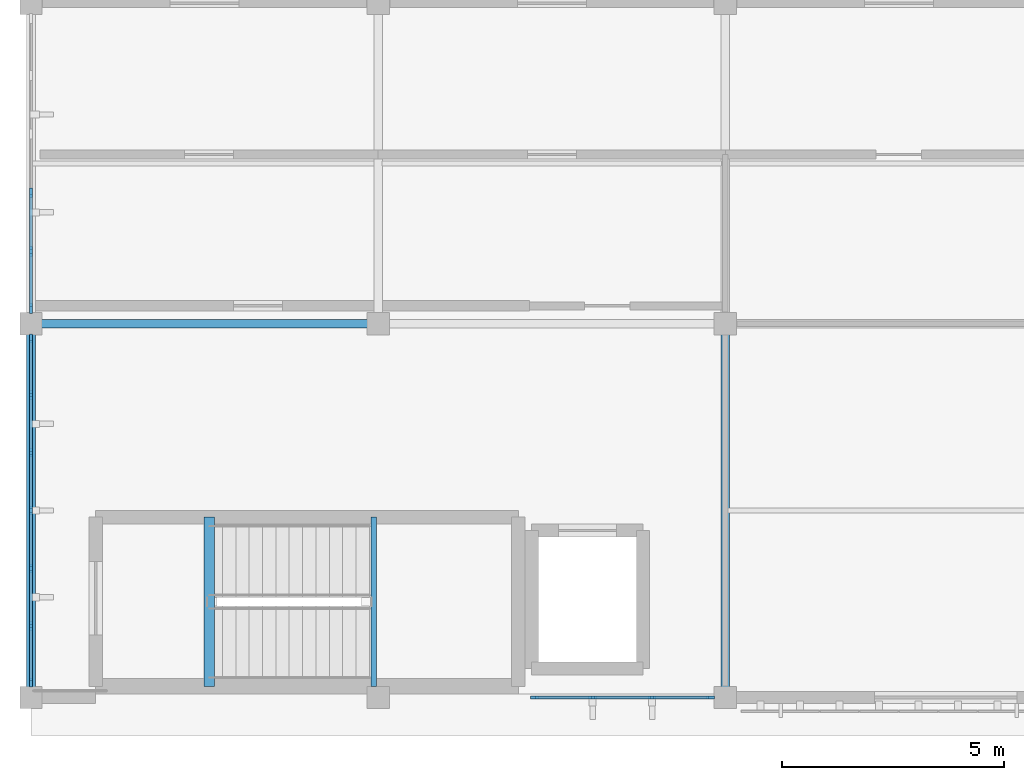
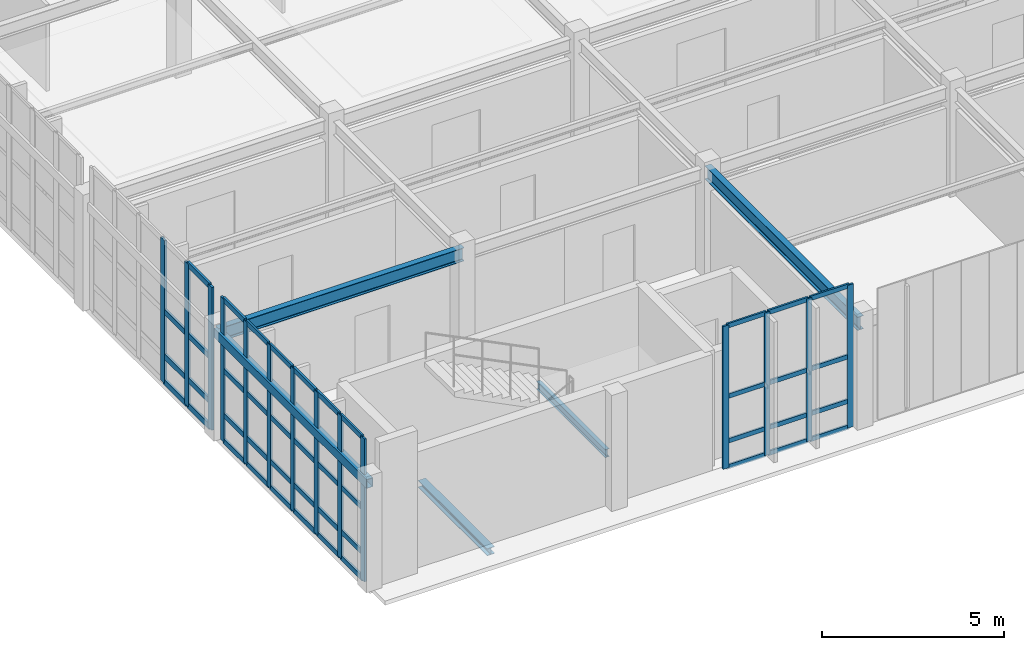
# One storey, part 1 of 20: 57 members, 5 beams, 3 elements without a shape of their own.
"""IFC4 building model written with IfcOpenShell, lengths in metres."""

from ifc_helpers import new_model, si_unit, direction, frame, origin, origin_2d, place, context, subcontext, project, spatial, rectangle, hollow_rectangle, i_section, extrude, material, material_profile, profile_set, type_object, element, aggregate, save


model = new_model("IFC4")

# Units and contexts
model_context = context("Model", 3, precision=1e-05, world=origin(), true_north=direction((0.0, 1.0)))
body_context = subcontext(model_context, "Body", "Model", "MODEL_VIEW")
ifc_project = project(units=[si_unit("LENGTHUNIT", "METRE"), si_unit("AREAUNIT", "SQUARE_METRE"), si_unit("VOLUMEUNIT", "CUBIC_METRE"), si_unit("PLANEANGLEUNIT", "RADIAN"), si_unit("MASSUNIT", "GRAM", prefix="KILO")], contexts=[model_context])

# Site, building, storey
site_placement = place(None, origin())
site = spatial("IfcSite", under=ifc_project, at=site_placement, CompositionType="ELEMENT")
building_placement = place(site_placement, origin())
building = spatial("IfcBuilding", under=site, at=building_placement, Name="Tizgana Railside Sports Hall", CompositionType="ELEMENT")
storey_placement = place(building_placement, frame((0.0, 0.0, 19.800048828125)))
storey = spatial("IfcBuildingStorey", under=building, at=storey_placement, Name="L04", CompositionType="ELEMENT", Elevation=19.800048828125)

# Curtain wall, members
ifc_material_1 = material(Name="Anodised aluminium and glass", Category="aluminium")
curtain_wall_type_1 = type_object("IfcCurtainWallType", Name="Unitised Curtain Wall WestHall 1560", PredefinedType="NOTDEFINED", material=ifc_material_1)
curtain_wall_1_placement = place(storey_placement, origin())
curtain_wall_1 = element("IfcCurtainWall", 1, at=curtain_wall_1_placement, inside=storey, type_object=curtain_wall_type_1, Name="L04 Curtain Wall CW-0134", PredefinedType="NOTDEFINED")
ifc_material_2 = material(Name="Anodised aluminium", Category="aluminium")
ifc_material_profile_1 = material_profile(ifc_material_2, rectangle(XDim=0.06005859375, YDim=0.179931640625, at=origin_2d()), Name="Mullion 60x180")
ifc_profile_set_1 = profile_set([ifc_material_profile_1], Name="Anodised aluminium")
member_type_1 = type_object("IfcMemberType", Name="Mullion 60x180", PredefinedType="MULLION", material=ifc_profile_set_1)
member_1_placement = place(storey_placement, frame((23.06494140625, 0.0, 0.0), z_axis=(0.0, 0.0, 1.0), x_axis=(0.0, -1.0, 0.0)))
member_1 = element("IfcMember", 2, at=member_1_placement, type_object=member_type_1, Name="CW-07 mullion 1", PredefinedType="MULLION", context=body_context, shape_type="SweptSolid", body=[
    extrude(rectangle(XDim=0.06005859375, YDim=0.179931640625, at=origin_2d()), origin(), (0.0, 0.0, 1.0), 4.800048828125),
])
member_2_placement = place(storey_placement, frame((21.756591796875, 0.0, 0.0), z_axis=(0.0, 0.0, 1.0), x_axis=(0.0, -1.0, 0.0)))
member_2 = element("IfcMember", 3, at=member_2_placement, type_object=member_type_1, Name="CW-07 mullion 2", PredefinedType="MULLION", context=body_context, shape_type="SweptSolid", body=[
    extrude(rectangle(XDim=0.06005859375, YDim=0.179931640625, at=origin_2d()), origin(), (0.0, 0.0, 1.0), 4.800048828125),
])
member_3_placement = place(storey_placement, frame((20.418212890625, 0.0, 0.0), z_axis=(0.0, 0.0, 1.0), x_axis=(0.0, -1.0, 0.0)))
member_3 = element("IfcMember", 4, at=member_3_placement, type_object=member_type_1, Name="CW-07 mullion 3", PredefinedType="MULLION", context=body_context, shape_type="SweptSolid", body=[
    extrude(rectangle(XDim=0.06005859375, YDim=0.179931640625, at=origin_2d()), origin(), (0.0, 0.0, 1.0), 4.800048828125),
])
member_4_placement = place(storey_placement, frame((19.110107421875, 0.0, 0.0), z_axis=(0.0, 0.0, 1.0), x_axis=(0.0, -1.0, 0.0)))
member_4 = element("IfcMember", 5, at=member_4_placement, type_object=member_type_1, Name="CW-07 mullion 4", PredefinedType="MULLION", context=body_context, shape_type="SweptSolid", body=[
    extrude(rectangle(XDim=0.06005859375, YDim=0.179931640625, at=origin_2d()), origin(), (0.0, 0.0, 1.0), 4.800048828125),
])

curtain_wall_type_2 = type_object("IfcCurtainWallType", Name="Unitised Curtain Wall Passage 1800", PredefinedType="NOTDEFINED", material=ifc_material_1)
curtain_wall_2_placement = place(storey_placement, origin())
curtain_wall_2 = element("IfcCurtainWall", 6, at=curtain_wall_2_placement, inside=storey, type_object=curtain_wall_type_2, Name="L04 Curtain Wall CW-0141", PredefinedType="NOTDEFINED")
ifc_material_profile_2 = material_profile(ifc_material_2, rectangle(XDim=0.06494140625, YDim=0.199951171875, at=origin_2d()), Name="Mullion 65x200")
ifc_profile_set_2 = profile_set([ifc_material_profile_2], Name="Anodised aluminium")
member_type_2 = type_object("IfcMemberType", Name="Mullion 65x200", PredefinedType="MULLION", material=ifc_profile_set_2)
member_5_placement = place(storey_placement, frame((7.800048828125, 8.0625, 0.0), z_axis=(0.0, 0.0, 1.0), x_axis=(1.0, 0.0, 0.0)))
member_5 = element("IfcMember", 7, at=member_5_placement, type_object=member_type_2, Name="CW-06 mullion 1", PredefinedType="MULLION", context=body_context, shape_type="SweptSolid", body=[
    extrude(rectangle(XDim=0.06494140625, YDim=0.199951171875, at=origin_2d()), origin(), (0.0, 0.0, 1.0), 4.800048828125),
])
member_6_placement = place(storey_placement, frame((7.800048828125, 6.796630859375, 0.0), z_axis=(0.0, 0.0, 1.0), x_axis=(1.0, 0.0, 0.0)))
member_6 = element("IfcMember", 8, at=member_6_placement, type_object=member_type_2, Name="CW-06 mullion 2", PredefinedType="MULLION", context=body_context, shape_type="SweptSolid", body=[
    extrude(rectangle(XDim=0.06494140625, YDim=0.199951171875, at=origin_2d()), origin(), (0.0, 0.0, 1.0), 4.800048828125),
])
member_7_placement = place(storey_placement, frame((7.800048828125, 5.498291015625, 0.0), z_axis=(0.0, 0.0, 1.0), x_axis=(1.0, 0.0, 0.0)))
member_7 = element("IfcMember", 9, at=member_7_placement, type_object=member_type_2, Name="CW-06 mullion 3", PredefinedType="MULLION", context=body_context, shape_type="SweptSolid", body=[
    extrude(rectangle(XDim=0.06494140625, YDim=0.199951171875, at=origin_2d()), origin(), (0.0, 0.0, 1.0), 4.800048828125),
])
member_8_placement = place(storey_placement, frame((7.800048828125, 4.199951171875, 0.0), z_axis=(0.0, 0.0, 1.0), x_axis=(1.0, 0.0, 0.0)))
member_8 = element("IfcMember", 10, at=member_8_placement, type_object=member_type_2, Name="CW-06 mullion 4", PredefinedType="MULLION", context=body_context, shape_type="SweptSolid", body=[
    extrude(rectangle(XDim=0.06494140625, YDim=0.199951171875, at=origin_2d()), origin(), (0.0, 0.0, 1.0), 4.800048828125),
])
member_9_placement = place(storey_placement, frame((7.800048828125, 2.901611328125, 0.0), z_axis=(0.0, 0.0, 1.0), x_axis=(1.0, 0.0, 0.0)))
member_9 = element("IfcMember", 11, at=member_9_placement, type_object=member_type_2, Name="CW-06 mullion 5", PredefinedType="MULLION", context=body_context, shape_type="SweptSolid", body=[
    extrude(rectangle(XDim=0.06494140625, YDim=0.199951171875, at=origin_2d()), origin(), (0.0, 0.0, 1.0), 4.800048828125),
])
member_10_placement = place(storey_placement, frame((7.800048828125, 1.603271484375, 0.0), z_axis=(0.0, 0.0, 1.0), x_axis=(1.0, 0.0, 0.0)))
member_10 = element("IfcMember", 12, at=member_10_placement, type_object=member_type_2, Name="CW-06 mullion 6", PredefinedType="MULLION", context=body_context, shape_type="SweptSolid", body=[
    extrude(rectangle(XDim=0.06494140625, YDim=0.199951171875, at=origin_2d()), origin(), (0.0, 0.0, 1.0), 4.800048828125),
])
member_11_placement = place(storey_placement, frame((7.800048828125, 0.33740234375, 0.0), z_axis=(0.0, 0.0, 1.0), x_axis=(1.0, 0.0, 0.0)))
member_11 = element("IfcMember", 13, at=member_11_placement, type_object=member_type_2, Name="CW-06 mullion 7", PredefinedType="MULLION", context=body_context, shape_type="SweptSolid", body=[
    extrude(rectangle(XDim=0.06494140625, YDim=0.199951171875, at=origin_2d()), origin(), (0.0, 0.0, 1.0), 4.800048828125),
])

curtain_wall_3_placement = place(storey_placement, origin())
curtain_wall_3 = element("IfcCurtainWall", 14, at=curtain_wall_3_placement, inside=storey, type_object=curtain_wall_type_1, Name="L04 Curtain Wall CW-0142", PredefinedType="NOTDEFINED")
ifc_material_profile_3 = material_profile(ifc_material_2, rectangle(XDim=0.070068359375, YDim=0.219970703125, at=origin_2d()), Name="Mullion 70x220")
ifc_profile_set_3 = profile_set([ifc_material_profile_3], Name="Anodised aluminium")
member_type_3 = type_object("IfcMemberType", Name="Mullion 70x220", PredefinedType="MULLION", material=ifc_profile_set_3)
member_12_placement = place(storey_placement, frame((7.800048828125, 11.341064453125, 0.0), z_axis=(0.0, 0.0, 1.0), x_axis=(1.0, 0.0, 0.0)))
member_12 = element("IfcMember", 15, at=member_12_placement, type_object=member_type_3, Name="CW-07 mullion 4", PredefinedType="MULLION", context=body_context, shape_type="SweptSolid", body=[
    extrude(rectangle(XDim=0.070068359375, YDim=0.219970703125, at=origin_2d()), origin(), (0.0, 0.0, 1.0), 4.800048828125),
])
member_13_placement = place(storey_placement, frame((7.800048828125, 10.02294921875, 0.0), z_axis=(0.0, 0.0, 1.0), x_axis=(1.0, 0.0, 0.0)))
member_13 = element("IfcMember", 16, at=member_13_placement, type_object=member_type_3, Name="CW-07 mullion 5", PredefinedType="MULLION", context=body_context, shape_type="SweptSolid", body=[
    extrude(rectangle(XDim=0.070068359375, YDim=0.219970703125, at=origin_2d()), origin(), (0.0, 0.0, 1.0), 4.800048828125),
])
member_14_placement = place(storey_placement, frame((7.800048828125, 8.739990234375, 0.0), z_axis=(0.0, 0.0, 1.0), x_axis=(1.0, 0.0, 0.0)))
member_14 = element("IfcMember", 17, at=member_14_placement, type_object=member_type_3, Name="CW-07 mullion 6", PredefinedType="MULLION", context=body_context, shape_type="SweptSolid", body=[
    extrude(rectangle(XDim=0.070068359375, YDim=0.219970703125, at=origin_2d()), origin(), (0.0, 0.0, 1.0), 4.800048828125),
])

# Beams
ifc_material_3 = material(Name="Steel S355J2", Category="steel")
ifc_material_profile_4 = material_profile(ifc_material_3, i_section(OverallWidth=0.1298828125, OverallDepth=0.27001953125, WebThickness=0.006591796875, FlangeThickness=0.01025390625, FilletRadius=0.014892578125, at=origin_2d()), Name="IPE 270")
ifc_profile_set_4 = profile_set([ifc_material_profile_4], Name="Steel S355J2")
beam_type_1 = type_object("IfcBeamType", Name="Stair Mid-Landing Header IPE 270", PredefinedType="JOIST", material=ifc_profile_set_4)
beam_1_placement = place(storey_placement, frame((15.5, 0.25, 1.613037109375), z_axis=(0.0, 1.0, 0.0), x_axis=(-1.0, 0.0, 0.0)))
element("IfcBeam", 18, at=beam_1_placement, inside=storey, type_object=beam_type_1, Name="L04 C1 Mid Header 1", PredefinedType="JOIST", context=body_context, shape_type="SweptSolid", body=[
    extrude(i_section(OverallWidth=0.1298828125, OverallDepth=0.27001953125, WebThickness=0.006591796875, FlangeThickness=0.01025390625, FilletRadius=0.014892578125, at=origin_2d()), origin(), (0.0, 0.0, 1.0), 3.800048828125),
])
ifc_material_profile_5 = material_profile(ifc_material_3, i_section(OverallWidth=0.239990234375, OverallDepth=0.239990234375, WebThickness=0.010009765625, FlangeThickness=0.01708984375, FilletRadius=0.02099609375, at=origin_2d()), Name="HEB 240")
ifc_profile_set_5 = profile_set([ifc_material_profile_5], Name="Steel S355J2")
beam_type_2 = type_object("IfcBeamType", Name="Steel Beam HEB 240", PredefinedType="BEAM", material=ifc_profile_set_5)
beam_2_placement = place(storey_placement, frame((11.800048828125, 0.25, -0.385986328125), z_axis=(0.0, 1.0, 0.0), x_axis=(-1.0, 0.0, 0.0)))
element("IfcBeam", 19, at=beam_2_placement, inside=storey, type_object=beam_type_2, Name="L04 C1 Landing Header", PredefinedType="BEAM", context=body_context, shape_type="SweptSolid", body=[
    extrude(i_section(OverallWidth=0.239990234375, OverallDepth=0.239990234375, WebThickness=0.010009765625, FlangeThickness=0.01708984375, FilletRadius=0.02099609375, at=origin_2d()), origin(), (0.0, 0.0, 1.0), 3.800048828125),
])
ifc_material_profile_6 = material_profile(ifc_material_3, i_section(OverallWidth=0.18994140625, OverallDepth=0.449951171875, WebThickness=0.009521484375, FlangeThickness=0.0146484375, FilletRadius=0.02099609375, at=origin_2d()), Name="IPE 450")
ifc_profile_set_6 = profile_set([ifc_material_profile_6], Name="Steel S355J2")
beam_type_3 = type_object("IfcBeamType", Name="Steel Beam IPE 450", PredefinedType="BEAM", material=ifc_profile_set_6)
beam_3_placement = place(storey_placement, frame((23.39990234375, 0.0, 3.370849609375), z_axis=(0.0, 1.0, 0.0), x_axis=(-1.0, 0.0, 0.0)))
element("IfcBeam", 20, at=beam_3_placement, inside=storey, type_object=beam_type_3, Name="L04 BEM-0792", PredefinedType="BEAM", context=body_context, shape_type="SweptSolid", body=[
    extrude(i_section(OverallWidth=0.18994140625, OverallDepth=0.449951171875, WebThickness=0.009521484375, FlangeThickness=0.0146484375, FilletRadius=0.02099609375, at=origin_2d()), origin(), (0.0, 0.0, 1.0), 8.39990234375),
])
beam_4_placement = place(storey_placement, frame((7.800048828125, 8.39990234375, 3.375), z_axis=(1.0, 0.0, 0.0), x_axis=(0.0, 1.0, 0.0)))
element("IfcBeam", 21, at=beam_4_placement, inside=storey, type_object=beam_type_3, Name="L04 BEM-0814", PredefinedType="BEAM", context=body_context, shape_type="SweptSolid", body=[
    extrude(i_section(OverallWidth=0.18994140625, OverallDepth=0.449951171875, WebThickness=0.009521484375, FlangeThickness=0.0146484375, FilletRadius=0.02099609375, at=origin_2d()), origin(), (0.0, 0.0, 1.0), 7.800048828125),
])
ifc_material_profile_7 = material_profile(ifc_material_3, hollow_rectangle(XDim=0.199951171875, YDim=0.300048828125, WallThickness=0.010009765625, at=origin_2d()), Name="RHS 300x200x10")
ifc_profile_set_7 = profile_set([ifc_material_profile_7], Name="Steel S355J2")
beam_type_4 = type_object("IfcBeamType", Name="Steel Spandrel RHS 300x200x10", PredefinedType="SPANDREL", material=ifc_profile_set_7)
beam_5_placement = place(storey_placement, frame((7.800048828125, 0.0, 3.449951171875), z_axis=(0.0, 1.0, 0.0), x_axis=(-1.0, 0.0, 0.0)))
element("IfcBeam", 22, at=beam_5_placement, inside=storey, type_object=beam_type_4, Name="L04 BEM-0785", PredefinedType="SPANDREL", context=body_context, shape_type="SweptSolid", body=[
    extrude(hollow_rectangle(XDim=0.199951171875, YDim=0.300048828125, WallThickness=0.010009765625, at=origin_2d()), origin(), (0.0, 0.0, 1.0), 8.39990234375),
])

# Member
ifc_material_profile_8 = material_profile(ifc_material_2, rectangle(XDim=0.06005859375, YDim=0.14990234375, at=origin_2d()), Name="Transom 60x150")
ifc_profile_set_8 = profile_set([ifc_material_profile_8], Name="Anodised aluminium")
member_type_4 = type_object("IfcMemberType", Name="Transom 60x150", PredefinedType="USERDEFINED", material=ifc_profile_set_8)
member_15_placement = place(storey_placement, frame((23.034912109375, 0.0, 0.030029296875), z_axis=(-1.0, 0.0, 0.0), x_axis=(0.0, -1.0, 0.0)))
member_15 = element("IfcMember", 23, at=member_15_placement, type_object=member_type_4, Name="CW-07 transom 1.1", ObjectType="TRANSOM", PredefinedType="USERDEFINED", context=body_context, shape_type="SweptSolid", body=[
    extrude(rectangle(XDim=0.06005859375, YDim=0.14990234375, at=origin_2d()), origin(), (0.0, 0.0, 1.0), 1.248291015625),
])

member_16_placement = place(storey_placement, frame((23.034912109375, 0.0, 0.89990234375), z_axis=(-1.0, 0.0, 0.0), x_axis=(0.0, -1.0, 0.0)))
member_16 = element("IfcMember", 24, at=member_16_placement, type_object=member_type_4, Name="CW-07 transom 1.2", ObjectType="TRANSOM", PredefinedType="USERDEFINED", context=body_context, shape_type="SweptSolid", body=[
    extrude(rectangle(XDim=0.06005859375, YDim=0.14990234375, at=origin_2d()), origin(), (0.0, 0.0, 1.0), 1.248291015625),
])

member_17_placement = place(storey_placement, frame((23.034912109375, 0.0, 2.39990234375), z_axis=(-1.0, 0.0, 0.0), x_axis=(0.0, -1.0, 0.0)))
member_17 = element("IfcMember", 25, at=member_17_placement, type_object=member_type_4, Name="CW-07 transom 1.3", ObjectType="TRANSOM", PredefinedType="USERDEFINED", context=body_context, shape_type="SweptSolid", body=[
    extrude(rectangle(XDim=0.06005859375, YDim=0.14990234375, at=origin_2d()), origin(), (0.0, 0.0, 1.0), 1.248291015625),
])

member_18_placement = place(storey_placement, frame((23.034912109375, 0.0, 4.77001953125), z_axis=(-1.0, 0.0, 0.0), x_axis=(0.0, -1.0, 0.0)))
member_18 = element("IfcMember", 26, at=member_18_placement, type_object=member_type_4, Name="CW-07 transom 1.4", ObjectType="TRANSOM", PredefinedType="USERDEFINED", context=body_context, shape_type="SweptSolid", body=[
    extrude(rectangle(XDim=0.06005859375, YDim=0.14990234375, at=origin_2d()), origin(), (0.0, 0.0, 1.0), 1.248291015625),
])

member_19_placement = place(storey_placement, frame((21.7265625, 0.0, 0.030029296875), z_axis=(-1.0, 0.0, 0.0), x_axis=(0.0, -1.0, 0.0)))
member_19 = element("IfcMember", 27, at=member_19_placement, type_object=member_type_4, Name="CW-07 transom 2.1", ObjectType="TRANSOM", PredefinedType="USERDEFINED", context=body_context, shape_type="SweptSolid", body=[
    extrude(rectangle(XDim=0.06005859375, YDim=0.14990234375, at=origin_2d()), origin(), (0.0, 0.0, 1.0), 1.2783203125),
])

member_20_placement = place(storey_placement, frame((21.7265625, 0.0, 0.89990234375), z_axis=(-1.0, 0.0, 0.0), x_axis=(0.0, -1.0, 0.0)))
member_20 = element("IfcMember", 28, at=member_20_placement, type_object=member_type_4, Name="CW-07 transom 2.2", ObjectType="TRANSOM", PredefinedType="USERDEFINED", context=body_context, shape_type="SweptSolid", body=[
    extrude(rectangle(XDim=0.06005859375, YDim=0.14990234375, at=origin_2d()), origin(), (0.0, 0.0, 1.0), 1.2783203125),
])

member_21_placement = place(storey_placement, frame((21.7265625, 0.0, 2.39990234375), z_axis=(-1.0, 0.0, 0.0), x_axis=(0.0, -1.0, 0.0)))
member_21 = element("IfcMember", 29, at=member_21_placement, type_object=member_type_4, Name="CW-07 transom 2.3", ObjectType="TRANSOM", PredefinedType="USERDEFINED", context=body_context, shape_type="SweptSolid", body=[
    extrude(rectangle(XDim=0.06005859375, YDim=0.14990234375, at=origin_2d()), origin(), (0.0, 0.0, 1.0), 1.2783203125),
])

member_22_placement = place(storey_placement, frame((21.7265625, 0.0, 4.77001953125), z_axis=(-1.0, 0.0, 0.0), x_axis=(0.0, -1.0, 0.0)))
member_22 = element("IfcMember", 30, at=member_22_placement, type_object=member_type_4, Name="CW-07 transom 2.4", ObjectType="TRANSOM", PredefinedType="USERDEFINED", context=body_context, shape_type="SweptSolid", body=[
    extrude(rectangle(XDim=0.06005859375, YDim=0.14990234375, at=origin_2d()), origin(), (0.0, 0.0, 1.0), 1.2783203125),
])

member_23_placement = place(storey_placement, frame((20.388427734375, 0.0, 0.030029296875), z_axis=(-1.0, 0.0, 0.0), x_axis=(0.0, -1.0, 0.0)))
member_23 = element("IfcMember", 31, at=member_23_placement, type_object=member_type_4, Name="CW-07 transom 3.1", ObjectType="TRANSOM", PredefinedType="USERDEFINED", context=body_context, shape_type="SweptSolid", body=[
    extrude(rectangle(XDim=0.06005859375, YDim=0.14990234375, at=origin_2d()), origin(), (0.0, 0.0, 1.0), 1.24853515625),
])

member_24_placement = place(storey_placement, frame((20.388427734375, 0.0, 0.89990234375), z_axis=(-1.0, 0.0, 0.0), x_axis=(0.0, -1.0, 0.0)))
member_24 = element("IfcMember", 32, at=member_24_placement, type_object=member_type_4, Name="CW-07 transom 3.2", ObjectType="TRANSOM", PredefinedType="USERDEFINED", context=body_context, shape_type="SweptSolid", body=[
    extrude(rectangle(XDim=0.06005859375, YDim=0.14990234375, at=origin_2d()), origin(), (0.0, 0.0, 1.0), 1.24853515625),
])

member_25_placement = place(storey_placement, frame((20.388427734375, 0.0, 2.39990234375), z_axis=(-1.0, 0.0, 0.0), x_axis=(0.0, -1.0, 0.0)))
member_25 = element("IfcMember", 33, at=member_25_placement, type_object=member_type_4, Name="CW-07 transom 3.3", ObjectType="TRANSOM", PredefinedType="USERDEFINED", context=body_context, shape_type="SweptSolid", body=[
    extrude(rectangle(XDim=0.06005859375, YDim=0.14990234375, at=origin_2d()), origin(), (0.0, 0.0, 1.0), 1.24853515625),
])

member_26_placement = place(storey_placement, frame((20.388427734375, 0.0, 4.77001953125), z_axis=(-1.0, 0.0, 0.0), x_axis=(0.0, -1.0, 0.0)))
member_26 = element("IfcMember", 34, at=member_26_placement, type_object=member_type_4, Name="CW-07 transom 3.4", ObjectType="TRANSOM", PredefinedType="USERDEFINED", context=body_context, shape_type="SweptSolid", body=[
    extrude(rectangle(XDim=0.06005859375, YDim=0.14990234375, at=origin_2d()), origin(), (0.0, 0.0, 1.0), 1.24853515625),
])

aggregate(curtain_wall_1, [member_1, member_2, member_3, member_4, member_15, member_16, member_17, member_18, member_19, member_20, member_21, member_22, member_23, member_24, member_25, member_26])

ifc_material_profile_9 = material_profile(ifc_material_2, rectangle(XDim=0.06494140625, YDim=0.169921875, at=origin_2d()), Name="Transom 65x170")
ifc_profile_set_9 = profile_set([ifc_material_profile_9], Name="Anodised aluminium")
member_type_5 = type_object("IfcMemberType", Name="Transom 65x170", PredefinedType="USERDEFINED", material=ifc_profile_set_9)
member_27_placement = place(storey_placement, frame((7.800048828125, 8.030029296875, 0.032470703125), z_axis=(0.0, -1.0, 0.0), x_axis=(1.0, 0.0, 0.0)))
member_27 = element("IfcMember", 35, at=member_27_placement, type_object=member_type_5, Name="CW-06 transom 1.1", ObjectType="TRANSOM", PredefinedType="USERDEFINED", context=body_context, shape_type="SweptSolid", body=[
    extrude(rectangle(XDim=0.06494140625, YDim=0.169921875, at=origin_2d()), origin(), (0.0, 0.0, 1.0), 1.200927734375),
])

member_28_placement = place(storey_placement, frame((7.800048828125, 8.030029296875, 0.89990234375), z_axis=(0.0, -1.0, 0.0), x_axis=(1.0, 0.0, 0.0)))
member_28 = element("IfcMember", 36, at=member_28_placement, type_object=member_type_5, Name="CW-06 transom 1.2", ObjectType="TRANSOM", PredefinedType="USERDEFINED", context=body_context, shape_type="SweptSolid", body=[
    extrude(rectangle(XDim=0.06494140625, YDim=0.169921875, at=origin_2d()), origin(), (0.0, 0.0, 1.0), 1.200927734375),
])

member_29_placement = place(storey_placement, frame((7.800048828125, 8.030029296875, 2.39990234375), z_axis=(0.0, -1.0, 0.0), x_axis=(1.0, 0.0, 0.0)))
member_29 = element("IfcMember", 37, at=member_29_placement, type_object=member_type_5, Name="CW-06 transom 1.3", ObjectType="TRANSOM", PredefinedType="USERDEFINED", context=body_context, shape_type="SweptSolid", body=[
    extrude(rectangle(XDim=0.06494140625, YDim=0.169921875, at=origin_2d()), origin(), (0.0, 0.0, 1.0), 1.200927734375),
])

member_30_placement = place(storey_placement, frame((7.800048828125, 8.030029296875, 4.767333984375), z_axis=(0.0, -1.0, 0.0), x_axis=(1.0, 0.0, 0.0)))
member_30 = element("IfcMember", 38, at=member_30_placement, type_object=member_type_5, Name="CW-06 transom 1.4", ObjectType="TRANSOM", PredefinedType="USERDEFINED", context=body_context, shape_type="SweptSolid", body=[
    extrude(rectangle(XDim=0.06494140625, YDim=0.169921875, at=origin_2d()), origin(), (0.0, 0.0, 1.0), 1.200927734375),
])

member_31_placement = place(storey_placement, frame((7.800048828125, 6.76416015625, 0.032470703125), z_axis=(0.0, -1.0, 0.0), x_axis=(1.0, 0.0, 0.0)))
member_31 = element("IfcMember", 39, at=member_31_placement, type_object=member_type_5, Name="CW-06 transom 2.1", ObjectType="TRANSOM", PredefinedType="USERDEFINED", context=body_context, shape_type="SweptSolid", body=[
    extrude(rectangle(XDim=0.06494140625, YDim=0.169921875, at=origin_2d()), origin(), (0.0, 0.0, 1.0), 1.2333984375),
])

member_32_placement = place(storey_placement, frame((7.800048828125, 6.76416015625, 0.89990234375), z_axis=(0.0, -1.0, 0.0), x_axis=(1.0, 0.0, 0.0)))
member_32 = element("IfcMember", 40, at=member_32_placement, type_object=member_type_5, Name="CW-06 transom 2.2", ObjectType="TRANSOM", PredefinedType="USERDEFINED", context=body_context, shape_type="SweptSolid", body=[
    extrude(rectangle(XDim=0.06494140625, YDim=0.169921875, at=origin_2d()), origin(), (0.0, 0.0, 1.0), 1.2333984375),
])

member_33_placement = place(storey_placement, frame((7.800048828125, 6.76416015625, 2.39990234375), z_axis=(0.0, -1.0, 0.0), x_axis=(1.0, 0.0, 0.0)))
member_33 = element("IfcMember", 41, at=member_33_placement, type_object=member_type_5, Name="CW-06 transom 2.3", ObjectType="TRANSOM", PredefinedType="USERDEFINED", context=body_context, shape_type="SweptSolid", body=[
    extrude(rectangle(XDim=0.06494140625, YDim=0.169921875, at=origin_2d()), origin(), (0.0, 0.0, 1.0), 1.2333984375),
])

member_34_placement = place(storey_placement, frame((7.800048828125, 6.76416015625, 4.767333984375), z_axis=(0.0, -1.0, 0.0), x_axis=(1.0, 0.0, 0.0)))
member_34 = element("IfcMember", 42, at=member_34_placement, type_object=member_type_5, Name="CW-06 transom 2.4", ObjectType="TRANSOM", PredefinedType="USERDEFINED", context=body_context, shape_type="SweptSolid", body=[
    extrude(rectangle(XDim=0.06494140625, YDim=0.169921875, at=origin_2d()), origin(), (0.0, 0.0, 1.0), 1.2333984375),
])

member_35_placement = place(storey_placement, frame((7.800048828125, 5.4658203125, 0.032470703125), z_axis=(0.0, -1.0, 0.0), x_axis=(1.0, 0.0, 0.0)))
member_35 = element("IfcMember", 43, at=member_35_placement, type_object=member_type_5, Name="CW-06 transom 3.1", ObjectType="TRANSOM", PredefinedType="USERDEFINED", context=body_context, shape_type="SweptSolid", body=[
    extrude(rectangle(XDim=0.06494140625, YDim=0.169921875, at=origin_2d()), origin(), (0.0, 0.0, 1.0), 1.2333984375),
])

member_36_placement = place(storey_placement, frame((7.800048828125, 5.4658203125, 0.89990234375), z_axis=(0.0, -1.0, 0.0), x_axis=(1.0, 0.0, 0.0)))
member_36 = element("IfcMember", 44, at=member_36_placement, type_object=member_type_5, Name="CW-06 transom 3.2", ObjectType="TRANSOM", PredefinedType="USERDEFINED", context=body_context, shape_type="SweptSolid", body=[
    extrude(rectangle(XDim=0.06494140625, YDim=0.169921875, at=origin_2d()), origin(), (0.0, 0.0, 1.0), 1.2333984375),
])

member_37_placement = place(storey_placement, frame((7.800048828125, 5.4658203125, 2.39990234375), z_axis=(0.0, -1.0, 0.0), x_axis=(1.0, 0.0, 0.0)))
member_37 = element("IfcMember", 45, at=member_37_placement, type_object=member_type_5, Name="CW-06 transom 3.3", ObjectType="TRANSOM", PredefinedType="USERDEFINED", context=body_context, shape_type="SweptSolid", body=[
    extrude(rectangle(XDim=0.06494140625, YDim=0.169921875, at=origin_2d()), origin(), (0.0, 0.0, 1.0), 1.2333984375),
])

member_38_placement = place(storey_placement, frame((7.800048828125, 5.4658203125, 4.767333984375), z_axis=(0.0, -1.0, 0.0), x_axis=(1.0, 0.0, 0.0)))
member_38 = element("IfcMember", 46, at=member_38_placement, type_object=member_type_5, Name="CW-06 transom 3.4", ObjectType="TRANSOM", PredefinedType="USERDEFINED", context=body_context, shape_type="SweptSolid", body=[
    extrude(rectangle(XDim=0.06494140625, YDim=0.169921875, at=origin_2d()), origin(), (0.0, 0.0, 1.0), 1.2333984375),
])

member_39_placement = place(storey_placement, frame((7.800048828125, 4.16748046875, 0.032470703125), z_axis=(0.0, -1.0, 0.0), x_axis=(1.0, 0.0, 0.0)))
member_39 = element("IfcMember", 47, at=member_39_placement, type_object=member_type_5, Name="CW-06 transom 4.1", ObjectType="TRANSOM", PredefinedType="USERDEFINED", context=body_context, shape_type="SweptSolid", body=[
    extrude(rectangle(XDim=0.06494140625, YDim=0.169921875, at=origin_2d()), origin(), (0.0, 0.0, 1.0), 1.2333984375),
])

member_40_placement = place(storey_placement, frame((7.800048828125, 4.16748046875, 0.89990234375), z_axis=(0.0, -1.0, 0.0), x_axis=(1.0, 0.0, 0.0)))
member_40 = element("IfcMember", 48, at=member_40_placement, type_object=member_type_5, Name="CW-06 transom 4.2", ObjectType="TRANSOM", PredefinedType="USERDEFINED", context=body_context, shape_type="SweptSolid", body=[
    extrude(rectangle(XDim=0.06494140625, YDim=0.169921875, at=origin_2d()), origin(), (0.0, 0.0, 1.0), 1.2333984375),
])

member_41_placement = place(storey_placement, frame((7.800048828125, 4.16748046875, 2.39990234375), z_axis=(0.0, -1.0, 0.0), x_axis=(1.0, 0.0, 0.0)))
member_41 = element("IfcMember", 49, at=member_41_placement, type_object=member_type_5, Name="CW-06 transom 4.3", ObjectType="TRANSOM", PredefinedType="USERDEFINED", context=body_context, shape_type="SweptSolid", body=[
    extrude(rectangle(XDim=0.06494140625, YDim=0.169921875, at=origin_2d()), origin(), (0.0, 0.0, 1.0), 1.2333984375),
])

member_42_placement = place(storey_placement, frame((7.800048828125, 4.16748046875, 4.767333984375), z_axis=(0.0, -1.0, 0.0), x_axis=(1.0, 0.0, 0.0)))
member_42 = element("IfcMember", 50, at=member_42_placement, type_object=member_type_5, Name="CW-06 transom 4.4", ObjectType="TRANSOM", PredefinedType="USERDEFINED", context=body_context, shape_type="SweptSolid", body=[
    extrude(rectangle(XDim=0.06494140625, YDim=0.169921875, at=origin_2d()), origin(), (0.0, 0.0, 1.0), 1.2333984375),
])

member_43_placement = place(storey_placement, frame((7.800048828125, 2.869140625, 0.032470703125), z_axis=(0.0, -1.0, 0.0), x_axis=(1.0, 0.0, 0.0)))
member_43 = element("IfcMember", 51, at=member_43_placement, type_object=member_type_5, Name="CW-06 transom 5.1", ObjectType="TRANSOM", PredefinedType="USERDEFINED", context=body_context, shape_type="SweptSolid", body=[
    extrude(rectangle(XDim=0.06494140625, YDim=0.169921875, at=origin_2d()), origin(), (0.0, 0.0, 1.0), 1.2333984375),
])

member_44_placement = place(storey_placement, frame((7.800048828125, 2.869140625, 0.89990234375), z_axis=(0.0, -1.0, 0.0), x_axis=(1.0, 0.0, 0.0)))
member_44 = element("IfcMember", 52, at=member_44_placement, type_object=member_type_5, Name="CW-06 transom 5.2", ObjectType="TRANSOM", PredefinedType="USERDEFINED", context=body_context, shape_type="SweptSolid", body=[
    extrude(rectangle(XDim=0.06494140625, YDim=0.169921875, at=origin_2d()), origin(), (0.0, 0.0, 1.0), 1.2333984375),
])

member_45_placement = place(storey_placement, frame((7.800048828125, 2.869140625, 2.39990234375), z_axis=(0.0, -1.0, 0.0), x_axis=(1.0, 0.0, 0.0)))
member_45 = element("IfcMember", 53, at=member_45_placement, type_object=member_type_5, Name="CW-06 transom 5.3", ObjectType="TRANSOM", PredefinedType="USERDEFINED", context=body_context, shape_type="SweptSolid", body=[
    extrude(rectangle(XDim=0.06494140625, YDim=0.169921875, at=origin_2d()), origin(), (0.0, 0.0, 1.0), 1.2333984375),
])

member_46_placement = place(storey_placement, frame((7.800048828125, 2.869140625, 4.767333984375), z_axis=(0.0, -1.0, 0.0), x_axis=(1.0, 0.0, 0.0)))
member_46 = element("IfcMember", 54, at=member_46_placement, type_object=member_type_5, Name="CW-06 transom 5.4", ObjectType="TRANSOM", PredefinedType="USERDEFINED", context=body_context, shape_type="SweptSolid", body=[
    extrude(rectangle(XDim=0.06494140625, YDim=0.169921875, at=origin_2d()), origin(), (0.0, 0.0, 1.0), 1.2333984375),
])

member_47_placement = place(storey_placement, frame((7.800048828125, 1.57080078125, 0.032470703125), z_axis=(0.0, -1.0, 0.0), x_axis=(1.0, 0.0, 0.0)))
member_47 = element("IfcMember", 55, at=member_47_placement, type_object=member_type_5, Name="CW-06 transom 6.1", ObjectType="TRANSOM", PredefinedType="USERDEFINED", context=body_context, shape_type="SweptSolid", body=[
    extrude(rectangle(XDim=0.06494140625, YDim=0.169921875, at=origin_2d()), origin(), (0.0, 0.0, 1.0), 1.20068359375),
])

member_48_placement = place(storey_placement, frame((7.800048828125, 1.57080078125, 0.89990234375), z_axis=(0.0, -1.0, 0.0), x_axis=(1.0, 0.0, 0.0)))
member_48 = element("IfcMember", 56, at=member_48_placement, type_object=member_type_5, Name="CW-06 transom 6.2", ObjectType="TRANSOM", PredefinedType="USERDEFINED", context=body_context, shape_type="SweptSolid", body=[
    extrude(rectangle(XDim=0.06494140625, YDim=0.169921875, at=origin_2d()), origin(), (0.0, 0.0, 1.0), 1.20068359375),
])

member_49_placement = place(storey_placement, frame((7.800048828125, 1.57080078125, 2.39990234375), z_axis=(0.0, -1.0, 0.0), x_axis=(1.0, 0.0, 0.0)))
member_49 = element("IfcMember", 57, at=member_49_placement, type_object=member_type_5, Name="CW-06 transom 6.3", ObjectType="TRANSOM", PredefinedType="USERDEFINED", context=body_context, shape_type="SweptSolid", body=[
    extrude(rectangle(XDim=0.06494140625, YDim=0.169921875, at=origin_2d()), origin(), (0.0, 0.0, 1.0), 1.20068359375),
])

member_50_placement = place(storey_placement, frame((7.800048828125, 1.57080078125, 4.767333984375), z_axis=(0.0, -1.0, 0.0), x_axis=(1.0, 0.0, 0.0)))
member_50 = element("IfcMember", 58, at=member_50_placement, type_object=member_type_5, Name="CW-06 transom 6.4", ObjectType="TRANSOM", PredefinedType="USERDEFINED", context=body_context, shape_type="SweptSolid", body=[
    extrude(rectangle(XDim=0.06494140625, YDim=0.169921875, at=origin_2d()), origin(), (0.0, 0.0, 1.0), 1.20068359375),
])

aggregate(curtain_wall_2, [member_5, member_6, member_7, member_8, member_9, member_10, member_11, member_27, member_28, member_29, member_30, member_31, member_32, member_33, member_34, member_35, member_36, member_37, member_38, member_39, member_40, member_41, member_42, member_43, member_44, member_45, member_46, member_47, member_48, member_49, member_50])

ifc_material_profile_10 = material_profile(ifc_material_2, rectangle(XDim=0.070068359375, YDim=0.18994140625, at=origin_2d()), Name="Transom 70x190")
ifc_profile_set_10 = profile_set([ifc_material_profile_10], Name="Anodised aluminium")
member_type_6 = type_object("IfcMemberType", Name="Transom 70x190", PredefinedType="USERDEFINED", material=ifc_profile_set_10)
member_51_placement = place(storey_placement, frame((7.800048828125, 11.305908203125, 0.034912109375), z_axis=(0.0, -1.0, 0.0), x_axis=(1.0, 0.0, 0.0)))
member_51 = element("IfcMember", 59, at=member_51_placement, type_object=member_type_6, Name="CW-07 transom 4.1", ObjectType="TRANSOM", PredefinedType="USERDEFINED", context=body_context, shape_type="SweptSolid", body=[
    extrude(rectangle(XDim=0.070068359375, YDim=0.18994140625, at=origin_2d()), origin(), (0.0, 0.0, 1.0), 1.247802734375),
])

member_52_placement = place(storey_placement, frame((7.800048828125, 11.305908203125, 0.89990234375), z_axis=(0.0, -1.0, 0.0), x_axis=(1.0, 0.0, 0.0)))
member_52 = element("IfcMember", 60, at=member_52_placement, type_object=member_type_6, Name="CW-07 transom 4.2", ObjectType="TRANSOM", PredefinedType="USERDEFINED", context=body_context, shape_type="SweptSolid", body=[
    extrude(rectangle(XDim=0.070068359375, YDim=0.18994140625, at=origin_2d()), origin(), (0.0, 0.0, 1.0), 1.247802734375),
])

member_53_placement = place(storey_placement, frame((7.800048828125, 11.305908203125, 2.39990234375), z_axis=(0.0, -1.0, 0.0), x_axis=(1.0, 0.0, 0.0)))
member_53 = element("IfcMember", 61, at=member_53_placement, type_object=member_type_6, Name="CW-07 transom 4.3", ObjectType="TRANSOM", PredefinedType="USERDEFINED", context=body_context, shape_type="SweptSolid", body=[
    extrude(rectangle(XDim=0.070068359375, YDim=0.18994140625, at=origin_2d()), origin(), (0.0, 0.0, 1.0), 1.247802734375),
])

member_54_placement = place(storey_placement, frame((7.800048828125, 9.988037109375, 0.034912109375), z_axis=(0.0, -1.0, 0.0), x_axis=(1.0, 0.0, 0.0)))
member_54 = element("IfcMember", 62, at=member_54_placement, type_object=member_type_6, Name="CW-07 transom 5.1", ObjectType="TRANSOM", PredefinedType="USERDEFINED", context=body_context, shape_type="SweptSolid", body=[
    extrude(rectangle(XDim=0.070068359375, YDim=0.18994140625, at=origin_2d()), origin(), (0.0, 0.0, 1.0), 1.213134765625),
])

member_55_placement = place(storey_placement, frame((7.800048828125, 9.988037109375, 0.89990234375), z_axis=(0.0, -1.0, 0.0), x_axis=(1.0, 0.0, 0.0)))
member_55 = element("IfcMember", 63, at=member_55_placement, type_object=member_type_6, Name="CW-07 transom 5.2", ObjectType="TRANSOM", PredefinedType="USERDEFINED", context=body_context, shape_type="SweptSolid", body=[
    extrude(rectangle(XDim=0.070068359375, YDim=0.18994140625, at=origin_2d()), origin(), (0.0, 0.0, 1.0), 1.213134765625),
])

member_56_placement = place(storey_placement, frame((7.800048828125, 9.988037109375, 2.39990234375), z_axis=(0.0, -1.0, 0.0), x_axis=(1.0, 0.0, 0.0)))
member_56 = element("IfcMember", 64, at=member_56_placement, type_object=member_type_6, Name="CW-07 transom 5.3", ObjectType="TRANSOM", PredefinedType="USERDEFINED", context=body_context, shape_type="SweptSolid", body=[
    extrude(rectangle(XDim=0.070068359375, YDim=0.18994140625, at=origin_2d()), origin(), (0.0, 0.0, 1.0), 1.213134765625),
])

member_57_placement = place(storey_placement, frame((7.800048828125, 9.988037109375, 4.764892578125), z_axis=(0.0, -1.0, 0.0), x_axis=(1.0, 0.0, 0.0)))
member_57 = element("IfcMember", 65, at=member_57_placement, type_object=member_type_6, Name="CW-07 transom 5.4", ObjectType="TRANSOM", PredefinedType="USERDEFINED", context=body_context, shape_type="SweptSolid", body=[
    extrude(rectangle(XDim=0.070068359375, YDim=0.18994140625, at=origin_2d()), origin(), (0.0, 0.0, 1.0), 1.213134765625),
])

aggregate(curtain_wall_3, [member_12, member_13, member_14, member_51, member_52, member_53, member_54, member_55, member_56, member_57])

save(model, "model.ifc")
